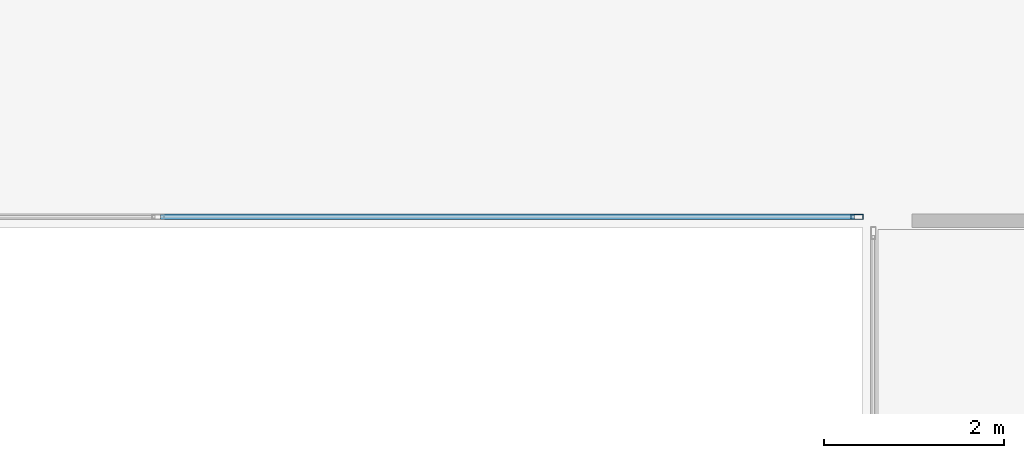
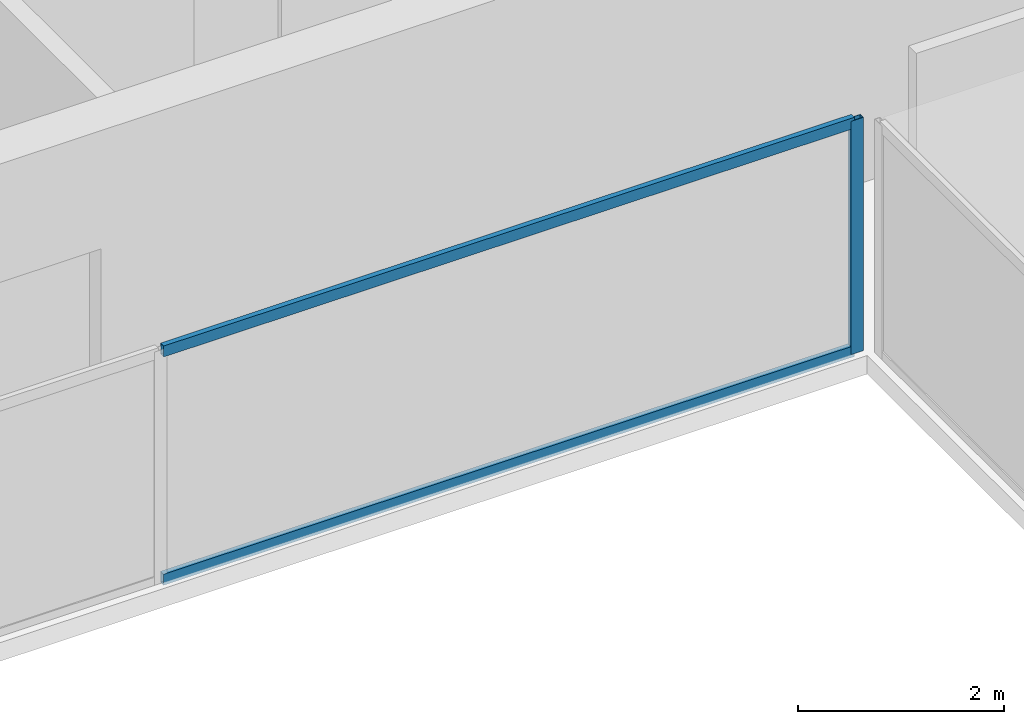
# One storey, part 11 of 29: 3 members, 1 element without a shape of its own.
"""IFC4 building model written with IfcOpenShell, lengths in metres."""

from ifc_helpers import new_model, si_unit, direction, frame, origin, origin_2d, place, context, subcontext, project, spatial, hollow_rectangle, extrude, source, transform, mapped, material, layer, layer_set, material_profile, profile_set, type_object, element, aggregate, save


model = new_model("IFC4")

# Units and contexts
model_context = context("Model", 3, precision=1e-05, world=origin(), true_north=direction((0.0, 1.0)))
body_context = subcontext(model_context, "Body", "Model", "MODEL_VIEW")
ifc_project = project(units=[si_unit("LENGTHUNIT", "METRE"), si_unit("AREAUNIT", "SQUARE_METRE"), si_unit("VOLUMEUNIT", "CUBIC_METRE"), si_unit("PLANEANGLEUNIT", "RADIAN"), si_unit("MASSUNIT", "GRAM", prefix="KILO")], contexts=[model_context])

# Site, building, storey
site_placement = place(None, origin())
site = spatial("IfcSite", under=ifc_project, at=site_placement, CompositionType="ELEMENT")
building_placement = place(site_placement, origin())
building = spatial("IfcBuilding", under=site, at=building_placement, Name="Sumidabori Civic Tower", CompositionType="ELEMENT")
storey_placement = place(building_placement, frame((0.0, 0.0, 207.199951171875)))
storey = spatial("IfcBuildingStorey", under=building, at=storey_placement, Name="L53", CompositionType="ELEMENT", Elevation=207.199951171875)

# Curtain wall, members
ifc_material = material(Name="Anodised Bronze Aluminium AW-6063-T6", Category="aluminium")
ifc_layer = layer(ifc_material, 0.179931640625, Name="Anodised Bronze Aluminium AW-6063-T6")
ifc_layer_set = layer_set([ifc_layer], Name="Anodised Bronze Aluminium AW-6063-T6")
curtain_wall_type = type_object("IfcCurtainWallType", Name="CW-SYS-4", PredefinedType="NOTDEFINED", material=ifc_layer_set)
curtain_wall_placement = place(storey_placement, origin())
curtain_wall = element("IfcCurtainWall", 1, at=curtain_wall_placement, inside=storey, type_object=curtain_wall_type, Name="Curtain Wall CW:L53:R05", PredefinedType="NOTDEFINED")
ifc_material_profile_1 = material_profile(ifc_material, hollow_rectangle(XDim=0.06005859375, YDim=0.139892578125, WallThickness=0.0048828125, at=origin_2d()), Name="ALU MULLION 140x60")
ifc_profile_set_1 = profile_set([ifc_material_profile_1], Name="Anodised Bronze Aluminium AW-6063-T6")
member_type_1 = type_object("IfcMemberType", Name="CW-MUL-140", PredefinedType="MULLION", material=ifc_profile_set_1)
shared_shape_1 = source(origin(), body_context, "Body", "SweptSolid", [
    extrude(hollow_rectangle(XDim=0.06005859375, YDim=0.139892578125, WallThickness=0.0048828125, at=origin_2d()), origin(), (0.0, 0.0, 1.0), 2.760009765625),
])
member_1_placement = place(storey_placement, frame((7.7900390625, 7.52001953125, 0.0), z_axis=(0.0, 0.0, 1.0), x_axis=(0.0, 1.0, 0.0)))
member_1 = element("IfcMember", 2, at=member_1_placement, type_object=member_type_1, Name="CW-4 mullion 3", PredefinedType="MULLION", context=body_context, shape_type="MappedRepresentation", body=[
    mapped(shared_shape_1, transform((0.0, 0.0, 0.0), x_axis=(1.0, 0.0, 0.0), y_axis=(0.0, 1.0, 0.0), z_axis=(0.0, 0.0, 1.0), scale=1.0)),
])
ifc_material_profile_2 = material_profile(ifc_material, hollow_rectangle(XDim=0.06005859375, YDim=0.1298828125, WallThickness=0.0048828125, at=origin_2d()), Name="ALU TRANSOM 130x60")
ifc_profile_set_2 = profile_set([ifc_material_profile_2], Name="Anodised Bronze Aluminium AW-6063-T6")
member_type_2 = type_object("IfcMemberType", Name="CW-TRN-130", PredefinedType="USERDEFINED", material=ifc_profile_set_2)
shared_shape_2 = source(origin(), body_context, "Body", "SweptSolid", [
    extrude(hollow_rectangle(XDim=0.06005859375, YDim=0.1298828125, WallThickness=0.0048828125, at=origin_2d()), origin(), (0.0, 0.0, 1.0), 7.72998046875),
])
member_2_placement = place(storey_placement, frame((0.030029296875, 7.52001953125, 0.030029296875), z_axis=(1.0, 0.0, 0.0), x_axis=(0.0, 1.0, 0.0)))
member_2 = element("IfcMember", 3, at=member_2_placement, type_object=member_type_2, Name="CW-4 transom 2.1", ObjectType="TRANSOM", PredefinedType="USERDEFINED", context=body_context, shape_type="MappedRepresentation", body=[
    mapped(shared_shape_2, transform((0.0, 0.0, 0.0), x_axis=(1.0, 0.0, 0.0), y_axis=(0.0, 1.0, 0.0), z_axis=(0.0, 0.0, 1.0), scale=1.0)),
])
member_3_placement = place(storey_placement, frame((0.030029296875, 7.52001953125, 2.72998046875), z_axis=(1.0, 0.0, 0.0), x_axis=(0.0, 1.0, 0.0)))
member_3 = element("IfcMember", 4, at=member_3_placement, type_object=member_type_2, Name="CW-4 transom 2.2", ObjectType="TRANSOM", PredefinedType="USERDEFINED", context=body_context, shape_type="MappedRepresentation", body=[
    mapped(shared_shape_2, transform((0.0, 0.0, 0.0), x_axis=(1.0, 0.0, 0.0), y_axis=(0.0, 1.0, 0.0), z_axis=(0.0, 0.0, 1.0), scale=1.0)),
])
aggregate(curtain_wall, [member_1, member_2, member_3])

save(model, "model.ifc")
